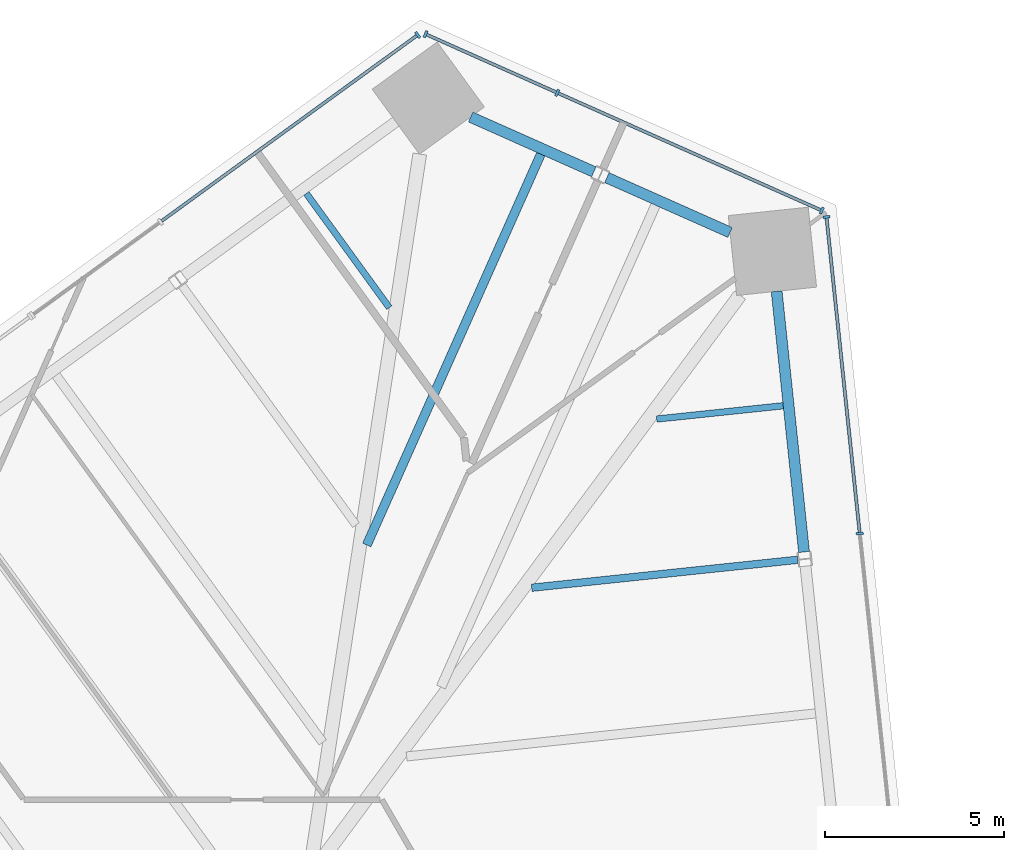
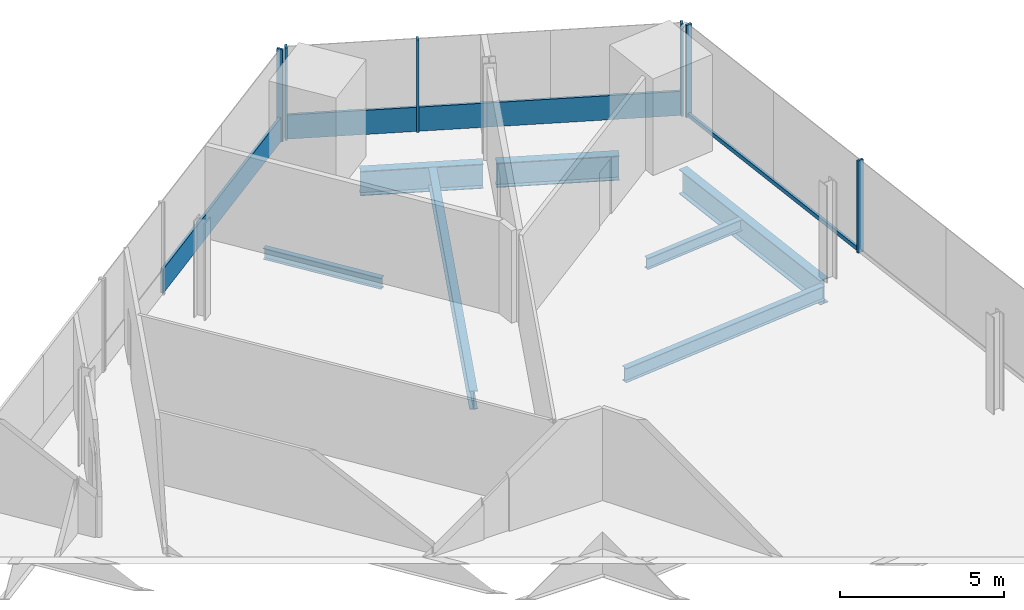
# One storey, part 9 of 19: 10 members, 7 beams, 3 elements without a shape of their own.
"""IFC4 building model written with IfcOpenShell, lengths in metres."""

from ifc_helpers import new_model, si_unit, direction, frame, origin, origin_2d, place, context, subcontext, project, spatial, rectangle, i_section, extrude, source, transform, mapped, material, material_profile, profile_set, type_object, element, aggregate, save


model = new_model("IFC4")

# Units and contexts
model_context = context("Model", 3, precision=1e-05, world=origin(), true_north=direction((0.0, 1.0)))
body_context = subcontext(model_context, "Body", "Model", "MODEL_VIEW")
ifc_project = project(units=[si_unit("LENGTHUNIT", "METRE"), si_unit("AREAUNIT", "SQUARE_METRE"), si_unit("VOLUMEUNIT", "CUBIC_METRE"), si_unit("PLANEANGLEUNIT", "RADIAN"), si_unit("MASSUNIT", "GRAM", prefix="KILO")], contexts=[model_context])

# Site, building, storey
site_placement = place(None, origin())
site = spatial("IfcSite", under=ifc_project, at=site_placement, CompositionType="ELEMENT")
building_placement = place(site_placement, origin())
building = spatial("IfcBuilding", under=site, at=building_placement, Name="Triune Harvest Tower", CompositionType="ELEMENT")
storey_placement = place(building_placement, frame((0.0, 0.0, 76.5)))
storey = spatial("IfcBuildingStorey", under=building, at=storey_placement, Name="L18", CompositionType="ELEMENT", Elevation=76.5)

# Beams
ifc_material_1 = material(Name="Steel ASTM A992 Gr 50", Category="steel")
ifc_material_profile_1 = material_profile(ifc_material_1, i_section(OverallWidth=0.3046875, OverallDepth=0.914306640625, WebThickness=0.0166015625, FlangeThickness=0.02587890625, at=origin_2d()), Name="W36x160")
ifc_profile_set_1 = profile_set([ifc_material_profile_1], Name="Steel ASTM A992 Gr 50")
beam_type_1 = type_object("IfcBeamType", Name="SB-1 Spandrel beam W36x160", PredefinedType="SPANDREL", material=ifc_profile_set_1)
shared_shape_1 = source(origin(), body_context, "Body", "SweptSolid", [
    extrude(i_section(OverallWidth=0.3046875, OverallDepth=0.914306640625, WebThickness=0.0166015625, FlangeThickness=0.02587890625, at=origin_2d()), origin(), (0.0, 0.0, 1.0), 7.338134765625),
])
beam_1_placement = place(storey_placement, frame((19.145263671875, 19.632568359375, -0.6171875), z_axis=(-0.104502933908, 0.994524578281, 0.0), x_axis=(-0.994524578281, -0.104502933908, 0.0)))
element("IfcBeam", 1, at=beam_1_placement, inside=storey, type_object=beam_type_1, Name="beam/L18/SB6", PredefinedType="SPANDREL", context=body_context, shape_type="MappedRepresentation", body=[
    mapped(shared_shape_1, transform((0.0, 0.0, 0.0), scale=1.0)),
])
shared_shape_2 = source(origin(), body_context, "Body", "SweptSolid", [
    extrude(i_section(OverallWidth=0.3046875, OverallDepth=0.914306640625, WebThickness=0.0166015625, FlangeThickness=0.02587890625, at=origin_2d()), origin(), (0.0, 0.0, 1.0), 3.77490234375),
])
beam_2_placement = place(storey_placement, frame((17.073974609375, 28.577392578125, -0.6171875), z_axis=(-0.913541977346, 0.40674445986, 0.0), x_axis=(-0.40674445986, -0.913541977346, 0.0)))
element("IfcBeam", 2, at=beam_2_placement, inside=storey, type_object=beam_type_1, Name="beam/L18/SB7", PredefinedType="SPANDREL", context=body_context, shape_type="MappedRepresentation", body=[
    mapped(shared_shape_2, transform((0.0, 0.0, 0.0), scale=1.0)),
])
shared_shape_3 = source(origin(), body_context, "Body", "SweptSolid", [
    extrude(i_section(OverallWidth=0.3046875, OverallDepth=0.914306640625, WebThickness=0.0166015625, FlangeThickness=0.02587890625, at=origin_2d()), origin(), (0.0, 0.0, 1.0), 3.774658203125),
])
beam_3_placement = place(storey_placement, frame((13.260986328125, 30.275146484375, -0.6171875), z_axis=(-0.913566008399, 0.406690482182, 0.0), x_axis=(-0.406690482182, -0.913566008399, 0.0)))
element("IfcBeam", 3, at=beam_3_placement, inside=storey, type_object=beam_type_1, Name="beam/L18/SB8", PredefinedType="SPANDREL", context=body_context, shape_type="MappedRepresentation", body=[
    mapped(shared_shape_3, transform((0.0, 0.0, 0.0), scale=1.0)),
])
ifc_material_2 = material(Name="Steel ASTM A992 Gr 50", Category="steel")
ifc_material_profile_2 = material_profile(ifc_material_2, i_section(OverallWidth=0.180908203125, OverallDepth=0.41650390625, WebThickness=0.010986328125, FlangeThickness=0.01806640625, at=origin_2d()), Name="W16x57")
ifc_profile_set_2 = profile_set([ifc_material_profile_2], Name="Steel ASTM A992 Gr 50")
beam_type_2 = type_object("IfcBeamType", Name="JT-1 Floor joist W16x57", PredefinedType="JOIST", material=ifc_profile_set_2)
shared_shape_4 = source(origin(), body_context, "Body", "SweptSolid", [
    extrude(i_section(OverallWidth=0.180908203125, OverallDepth=0.41650390625, WebThickness=0.010986328125, FlangeThickness=0.01806640625, at=origin_2d()), origin(), (0.0, 0.0, 1.0), 3.95068359375),
])
beam_4_placement = place(storey_placement, frame((5.21142578125, 29.669677734375, -0.368408203125), z_axis=(0.587818894271, -0.808992550978, 0.0), x_axis=(0.808992550978, 0.587818894271, 0.0)))
element("IfcBeam", 4, at=beam_4_placement, inside=storey, type_object=beam_type_2, Name="beam/L18/JT14", PredefinedType="JOIST", context=body_context, shape_type="MappedRepresentation", body=[
    mapped(shared_shape_4, transform((0.0, 0.0, 0.0), scale=1.0)),
])
ifc_material_3 = material(Name="Steel ASTM A992 Gr 50", Category="steel")
ifc_material_profile_3 = material_profile(ifc_material_3, i_section(OverallWidth=0.2099609375, OverallDepth=0.535888671875, WebThickness=0.010986328125, FlangeThickness=0.017333984375, at=origin_2d()), Name="W21x68")
ifc_profile_set_3 = profile_set([ifc_material_profile_3], Name="Steel ASTM A992 Gr 50")
beam_type_3 = type_object("IfcBeamType", Name="JT-2 Floor joist W21x68", PredefinedType="JOIST", material=ifc_profile_set_3)
shared_shape_5 = source(origin(), body_context, "Body", "SweptSolid", [
    extrude(i_section(OverallWidth=0.2099609375, OverallDepth=0.535888671875, WebThickness=0.010986328125, FlangeThickness=0.017333984375, at=origin_2d()), origin(), (0.0, 0.0, 1.0), 7.491943359375),
])
beam_5_placement = place(storey_placement, frame((18.97021484375, 19.413818359375, -0.427978515625), z_axis=(-0.994520798259, -0.104538901039, 0.0), x_axis=(0.104538901039, -0.994520798259, 0.0)))
element("IfcBeam", 5, at=beam_5_placement, inside=storey, type_object=beam_type_3, Name="beam/L18/JT10", PredefinedType="JOIST", context=body_context, shape_type="MappedRepresentation", body=[
    mapped(shared_shape_5, transform((0.0, 0.0, 0.0), scale=1.0)),
])
shared_shape_6 = source(origin(), body_context, "Body", "SweptSolid", [
    extrude(i_section(OverallWidth=0.180908203125, OverallDepth=0.41650390625, WebThickness=0.010986328125, FlangeThickness=0.01806640625, at=origin_2d()), origin(), (0.0, 0.0, 1.0), 3.562255859375),
])
beam_6_placement = place(storey_placement, frame((18.56201171875, 23.725830078125, -0.368408203125), z_axis=(-0.994523089103, -0.104517105016, 0.0), x_axis=(0.104517105016, -0.994523089103, 0.0)))
element("IfcBeam", 6, at=beam_6_placement, inside=storey, type_object=beam_type_2, Name="beam/L18/JT11", PredefinedType="JOIST", context=body_context, shape_type="MappedRepresentation", body=[
    mapped(shared_shape_6, transform((0.0, 0.0, 0.0), scale=1.0)),
])
ifc_material_4 = material(Name="Steel ASTM A992 Gr 50", Category="steel")
ifc_material_profile_4 = material_profile(ifc_material_4, i_section(OverallWidth=0.253662109375, OverallDepth=0.683349609375, WebThickness=0.012451171875, FlangeThickness=0.01904296875, at=origin_2d()), Name="W27x94")
ifc_profile_set_4 = profile_set([ifc_material_profile_4], Name="Steel ASTM A992 Gr 50")
beam_type_4 = type_object("IfcBeamType", Name="JT-4 Floor joist W27x94", PredefinedType="JOIST", material=ifc_profile_set_4)
shared_shape_7 = source(origin(), body_context, "Body", "SweptSolid", [
    extrude(i_section(OverallWidth=0.253662109375, OverallDepth=0.683349609375, WebThickness=0.012451171875, FlangeThickness=0.01904296875, at=origin_2d()), origin(), (0.0, 0.0, 1.0), 11.977783203125),
])
beam_7_placement = place(storey_placement, frame((11.775390625, 30.769775390625, -0.501708984375), z_axis=(-0.406717086171, -0.913554164687, 0.0), x_axis=(0.913554164687, -0.406717086171, 0.0)))
element("IfcBeam", 7, at=beam_7_placement, inside=storey, type_object=beam_type_4, Name="beam/L18/JT13", PredefinedType="JOIST", context=body_context, shape_type="MappedRepresentation", body=[
    mapped(shared_shape_7, transform((0.0, 0.0, 0.0), scale=1.0)),
])

# Curtain wall, members
ifc_material_5 = material(Name="Aluminium bronze anodised", Category="aluminium")
curtain_wall_type_1 = type_object("IfcCurtainWallType", Name="CW-1 Tower stick curtain wall", PredefinedType="NOTDEFINED", material=ifc_material_5)
curtain_wall_1_placement = place(storey_placement, origin())
curtain_wall_1 = element("IfcCurtainWall", 8, at=curtain_wall_1_placement, inside=storey, type_object=curtain_wall_type_1, Name="CW-1 B2-F2 L18 run 1")
ifc_material_6 = material(Name="Aluminium bronze anodised", Category="aluminium")
ifc_material_profile_5 = material_profile(ifc_material_6, rectangle(XDim=0.199951171875, YDim=0.074951171875, at=origin_2d()), Name="MU-1 mullion 75 x 200")
ifc_profile_set_5 = profile_set([ifc_material_profile_5], Name="Aluminium bronze anodised")
member_type_1 = type_object("IfcMemberType", Name="MU-1 mullion 75 x 200", PredefinedType="MULLION", material=ifc_profile_set_5)
shared_shape_8 = source(origin(), body_context, "Body", "SweptSolid", [
    extrude(rectangle(XDim=0.199951171875, YDim=0.074951171875, at=origin_2d()), origin(), (0.0, 0.0, 1.0), 3.43994140625),
])
member_1_placement = place(storey_placement, frame((19.643798828125, 29.1904296875, 0.0), z_axis=(0.0, 0.0, 1.0), x_axis=(-0.406733978386, -0.913546644034, 0.0)))
member_1 = element("IfcMember", 9, at=member_1_placement, type_object=member_type_1, Name="CW-1 mullion B2-F2 1.1", PredefinedType="MULLION", context=body_context, shape_type="MappedRepresentation", body=[
    mapped(shared_shape_8, transform((0.0, 0.0, 0.0), scale=1.0)),
])
member_2_placement = place(storey_placement, frame((12.2353515625, 32.48876953125, 0.0), z_axis=(0.0, 0.0, 1.0), x_axis=(-0.406733978386, -0.913546644034, 0.0)))
member_2 = element("IfcMember", 10, at=member_2_placement, type_object=member_type_1, Name="CW-1 mullion B2-F2 1.3", PredefinedType="MULLION", context=body_context, shape_type="MappedRepresentation", body=[
    mapped(shared_shape_8, transform((0.0, 0.0, 0.0), scale=1.0)),
])
member_3_placement = place(storey_placement, frame((8.548583984375, 34.13037109375, 0.0), z_axis=(0.0, 0.0, 1.0), x_axis=(-0.406733978386, -0.913546644034, 0.0)))
member_3 = element("IfcMember", 11, at=member_3_placement, type_object=member_type_1, Name="CW-1 mullion B2-F2 1.4", PredefinedType="MULLION", context=body_context, shape_type="MappedRepresentation", body=[
    mapped(shared_shape_8, transform((0.0, 0.0, 0.0), scale=1.0)),
])

# Curtain wall, member
curtain_wall_2_placement = place(storey_placement, origin())
curtain_wall_2 = element("IfcCurtainWall", 12, at=curtain_wall_2_placement, inside=storey, type_object=curtain_wall_type_1, Name="CW-1 B2-F3 L18 run 1")
member_4_placement = place(storey_placement, frame((8.328857421875, 34.107177734375, 0.0), z_axis=(0.0, 0.0, 1.0), x_axis=(0.587785414122, -0.809016876799, 0.0)))
member_4 = element("IfcMember", 13, at=member_4_placement, type_object=member_type_1, Name="CW-1 mullion B2-F3 1.1", PredefinedType="MULLION", context=body_context, shape_type="MappedRepresentation", body=[
    mapped(shared_shape_8, transform((0.0, 0.0, 0.0), scale=1.0)),
])

# Member
ifc_material_7 = material(Name="Aluminium bronze anodised", Category="aluminium")
ifc_material_profile_6 = material_profile(ifc_material_7, rectangle(XDim=0.090087890625, YDim=0.89990234375, at=origin_2d()), Name="TR-1 transom 90 x 900")
ifc_profile_set_6 = profile_set([ifc_material_profile_6], Name="Aluminium bronze anodised")
member_type_2 = type_object("IfcMemberType", Name="TR-1 transom 90 x 900", PredefinedType="USERDEFINED", material=ifc_profile_set_6)
shared_shape_9 = source(origin(), body_context, "Body", "SweptSolid", [
    extrude(rectangle(XDim=0.090087890625, YDim=0.89990234375, at=origin_2d()), origin(), (0.0, 0.0, 1.0), 8.0341796875),
])
member_5_placement = place(storey_placement, frame((19.609375, 29.205810546875, 0.449951171875), z_axis=(-0.913544441051, 0.40673892637, 0.0), x_axis=(-0.40673892637, -0.913544441051, 0.0)))
member_5 = element("IfcMember", 14, at=member_5_placement, type_object=member_type_2, Name="CW-1 transom B2-F2 1.1", ObjectType="TRANSOM", PredefinedType="USERDEFINED", context=body_context, shape_type="MappedRepresentation", body=[
    mapped(shared_shape_9, transform((0.0, 0.0, 0.0), scale=1.0)),
])

shared_shape_10 = source(origin(), body_context, "Body", "SweptSolid", [
    extrude(rectangle(XDim=0.090087890625, YDim=0.89990234375, at=origin_2d()), origin(), (0.0, 0.0, 1.0), 3.960693359375),
])
member_6_placement = place(storey_placement, frame((12.201171875, 32.504150390625, 0.449951171875), z_axis=(-0.913562276019, 0.406698866282, 0.0), x_axis=(-0.406698866282, -0.913562276019, 0.0)))
member_6 = element("IfcMember", 15, at=member_6_placement, type_object=member_type_2, Name="CW-1 transom B2-F2 1.2", ObjectType="TRANSOM", PredefinedType="USERDEFINED", context=body_context, shape_type="MappedRepresentation", body=[
    mapped(shared_shape_10, transform((0.0, 0.0, 0.0), scale=1.0)),
])

aggregate(curtain_wall_1, [member_1, member_2, member_3, member_5, member_6])

# Curtain wall, members
ifc_material_8 = material(Name="Aluminium bronze anodised", Category="aluminium")
curtain_wall_type_2 = type_object("IfcCurtainWallType", Name="CW-6 Balcony window wall", PredefinedType="NOTDEFINED", material=ifc_material_8)
curtain_wall_3_placement = place(storey_placement, origin())
curtain_wall_3 = element("IfcCurtainWall", 16, at=curtain_wall_3_placement, inside=storey, type_object=curtain_wall_type_2, Name="CW-6 B2-F1 L18 run 1002")
ifc_material_9 = material(Name="Aluminium bronze anodised", Category="aluminium")
ifc_material_profile_7 = material_profile(ifc_material_9, rectangle(XDim=0.199951171875, YDim=0.074951171875, at=origin_2d()), Name="MU-6 mullion 75 x 200")
ifc_profile_set_7 = profile_set([ifc_material_profile_7], Name="Aluminium bronze anodised")
member_type_3 = type_object("IfcMemberType", Name="MU-6 mullion 75 x 200", PredefinedType="MULLION", material=ifc_profile_set_7)
shared_shape_11 = source(origin(), body_context, "Body", "SweptSolid", [
    extrude(rectangle(XDim=0.199951171875, YDim=0.074951171875, at=origin_2d()), origin(), (0.0, 0.0, 1.0), 3.43994140625),
])
member_7_placement = place(storey_placement, frame((20.705078125, 20.1494140625, 0.0), z_axis=(0.0, 0.0, 1.0), x_axis=(-0.994521828916, -0.104529095521, 0.0)))
member_7 = element("IfcMember", 17, at=member_7_placement, type_object=member_type_3, Name="CW-6 mullion B2-F1 1002.3", PredefinedType="MULLION", context=body_context, shape_type="MappedRepresentation", body=[
    mapped(shared_shape_11, transform((0.0, 0.0, 0.0), scale=1.0)),
])
member_8_placement = place(storey_placement, frame((19.7734375, 29.01171875, 0.0), z_axis=(0.0, 0.0, 1.0), x_axis=(-0.994521828916, -0.104529095521, 0.0)))
member_8 = element("IfcMember", 18, at=member_8_placement, type_object=member_type_3, Name="CW-6 mullion B2-F1 1002.5", PredefinedType="MULLION", context=body_context, shape_type="MappedRepresentation", body=[
    mapped(shared_shape_11, transform((0.0, 0.0, 0.0), scale=1.0)),
])
ifc_material_10 = material(Name="Aluminium bronze anodised", Category="aluminium")
ifc_material_profile_8 = material_profile(ifc_material_10, rectangle(XDim=0.090087890625, YDim=0.14990234375, at=origin_2d()), Name="TR-6 transom 90 x 150")
ifc_profile_set_8 = profile_set([ifc_material_profile_8], Name="Aluminium bronze anodised")
member_type_4 = type_object("IfcMemberType", Name="TR-6 transom 90 x 150", PredefinedType="USERDEFINED", material=ifc_profile_set_8)
shared_shape_12 = source(origin(), body_context, "Body", "SweptSolid", [
    extrude(rectangle(XDim=0.090087890625, YDim=0.14990234375, at=origin_2d()), origin(), (0.0, 0.0, 1.0), 8.836181640625),
])
member_9_placement = place(storey_placement, frame((20.701171875, 20.186767578125, 0.074951171875), z_axis=(-0.104549588812, 0.994519674757, 0.0), x_axis=(-0.994519674757, -0.104549588812, 0.0)))
member_9 = element("IfcMember", 19, at=member_9_placement, type_object=member_type_4, Name="CW-6 transom B2-F1 1002.2", ObjectType="TRANSOM", PredefinedType="USERDEFINED", context=body_context, shape_type="MappedRepresentation", body=[
    mapped(shared_shape_12, transform((0.0, 0.0, 0.0), scale=1.0)),
])
aggregate(curtain_wall_3, [member_7, member_8, member_9])

# Member
shared_shape_13 = source(origin(), body_context, "Body", "SweptSolid", [
    extrude(rectangle(XDim=0.090087890625, YDim=0.89990234375, at=origin_2d()), origin(), (0.0, 0.0, 1.0), 8.82861328125),
])
member_10_placement = place(storey_placement, frame((8.298583984375, 34.085205078125, 0.449951171875), z_axis=(-0.809026570054, -0.587772072276, 0.0), x_axis=(0.587772072276, -0.809026570054, 0.0)))
member_10 = element("IfcMember", 20, at=member_10_placement, type_object=member_type_2, Name="CW-1 transom B2-F3 1.1", ObjectType="TRANSOM", PredefinedType="USERDEFINED", context=body_context, shape_type="MappedRepresentation", body=[
    mapped(shared_shape_13, transform((0.0, 0.0, 0.0), scale=1.0)),
])

aggregate(curtain_wall_2, [member_4, member_10])

save(model, "model.ifc")
